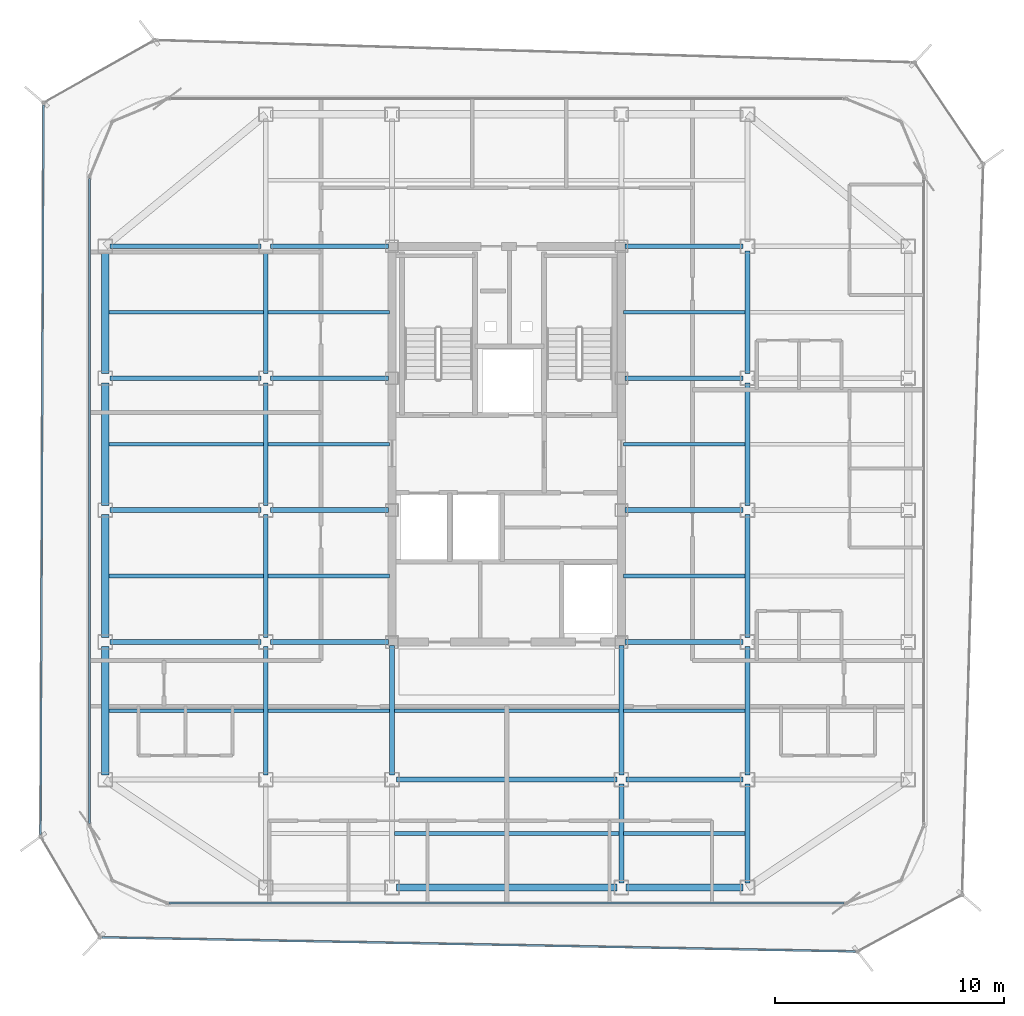
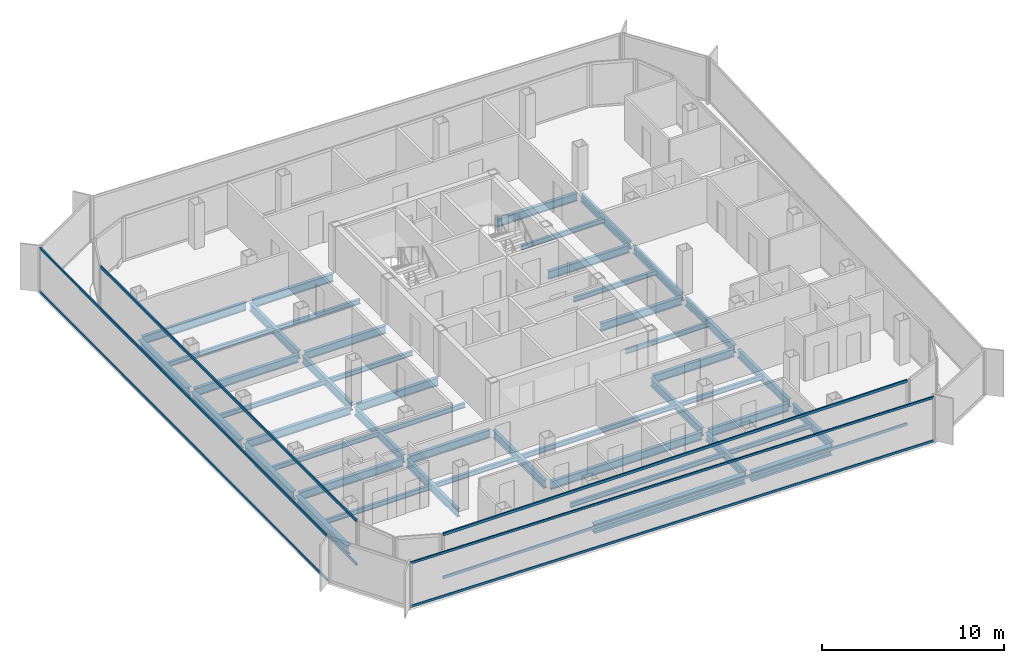
# One storey, part 3 of 15: 47 beams, 8 members, 4 elements without a shape of their own.
"""IFC4 building model written with IfcOpenShell, lengths in metres."""

from ifc_helpers import new_model, si_unit, direction, frame, origin, origin_2d, place, context, subcontext, project, spatial, hollow_rectangle, i_section, extrude, source, transform, mapped, material, layer, layer_set, material_profile, profile_set, type_object, element, aggregate, save


model = new_model("IFC4")

# Units and contexts
model_context = context("Model", 3, precision=1e-05, world=origin(), true_north=direction((0.0, 1.0)))
body_context = subcontext(model_context, "Body", "Model", "MODEL_VIEW")
ifc_project = project(units=[si_unit("LENGTHUNIT", "METRE"), si_unit("AREAUNIT", "SQUARE_METRE"), si_unit("VOLUMEUNIT", "CUBIC_METRE"), si_unit("PLANEANGLEUNIT", "RADIAN"), si_unit("MASSUNIT", "GRAM", prefix="KILO")], contexts=[model_context])

# Site, building, storey
site_placement = place(None, origin())
site = spatial("IfcSite", under=ifc_project, at=site_placement, CompositionType="ELEMENT")
building_placement = place(site_placement, origin())
building = spatial("IfcBuilding", under=site, at=building_placement, Name="Kolveth Station Tower", CompositionType="ELEMENT")
storey_placement = place(building_placement, frame((0.0, 0.0, 242.5)))
storey = spatial("IfcBuildingStorey", under=building, at=storey_placement, Name="L69", CompositionType="ELEMENT", Elevation=242.5)

# Beams
ifc_material_1 = material(Name="Steel S355", Category="steel")
ifc_material_profile_1 = material_profile(ifc_material_1, i_section(OverallWidth=0.323974609375, OverallDepth=0.611083984375, WebThickness=0.0126953125, FlangeThickness=0.01904296875, at=origin_2d()), Name="W610x155")
ifc_profile_set_1 = profile_set([ifc_material_profile_1], Name="Steel S355")
beam_type_1 = type_object("IfcBeamType", Name="Beam_SP2", PredefinedType="SPANDREL", material=ifc_profile_set_1)
shared_shape_1 = source(origin(), body_context, "Body", "SweptSolid", [
    extrude(i_section(OverallWidth=0.323974609375, OverallDepth=0.611083984375, WebThickness=0.0126953125, FlangeThickness=0.01904296875, at=origin_2d()), origin(), (0.0, 0.0, 1.0), 5.10009765625),
])
beam_1_placement = place(storey_placement, frame((28.699951171875, 0.800048828125, -0.525390625), z_axis=(1.0, 0.0, 0.0), x_axis=(0.0, 1.0, 0.0)))
element("IfcBeam", 1, at=beam_1_placement, inside=storey, type_object=beam_type_1, Name="L69 Perimeter Spandrel BM-L69-PS-3", PredefinedType="SPANDREL", context=body_context, shape_type="MappedRepresentation", body=[
    mapped(shared_shape_1, transform((0.0, 0.0, 0.0), x_axis=(1.0, 0.0, 0.0), y_axis=(0.0, 1.0, 0.0), z_axis=(0.0, 0.0, 1.0), scale=1.0)),
])
shared_shape_2 = source(origin(), body_context, "Body", "SweptSolid", [
    extrude(i_section(OverallWidth=0.323974609375, OverallDepth=0.611083984375, WebThickness=0.0126953125, FlangeThickness=0.01904296875, at=origin_2d()), origin(), (0.0, 0.0, 1.0), 9.60009765625),
])
beam_2_placement = place(storey_placement, frame((18.699951171875, 0.800048828125, -0.525390625), z_axis=(1.0, 0.0, 0.0), x_axis=(0.0, 1.0, 0.0)))
element("IfcBeam", 2, at=beam_2_placement, inside=storey, type_object=beam_type_1, Name="L69 Perimeter Spandrel BM-L69-PS-2", PredefinedType="SPANDREL", context=body_context, shape_type="MappedRepresentation", body=[
    mapped(shared_shape_2, transform((0.0, 0.0, 0.0), x_axis=(1.0, 0.0, 0.0), y_axis=(0.0, 1.0, 0.0), z_axis=(0.0, 0.0, 1.0), scale=1.0)),
])
shared_shape_3 = source(origin(), body_context, "Body", "SweptSolid", [
    extrude(i_section(OverallWidth=0.323974609375, OverallDepth=0.611083984375, WebThickness=0.0126953125, FlangeThickness=0.01904296875, at=origin_2d()), origin(), (0.0, 0.0, 1.0), 5.60009765625),
])
beam_3_placement = place(storey_placement, frame((6.0, 5.699951171875, -0.525390625), z_axis=(0.0, 1.0, 0.0), x_axis=(-1.0, 0.0, 0.0)))
element("IfcBeam", 3, at=beam_3_placement, inside=storey, type_object=beam_type_1, Name="L69 Perimeter Spandrel BM-L69-PW-1", PredefinedType="SPANDREL", context=body_context, shape_type="MappedRepresentation", body=[
    mapped(shared_shape_3, transform((0.0, 0.0, 0.0), x_axis=(1.0, 0.0, 0.0), y_axis=(0.0, 1.0, 0.0), z_axis=(0.0, 0.0, 1.0), scale=1.0)),
])
shared_shape_4 = source(origin(), body_context, "Body", "SweptSolid", [
    extrude(i_section(OverallWidth=0.323974609375, OverallDepth=0.611083984375, WebThickness=0.0126953125, FlangeThickness=0.01904296875, at=origin_2d()), origin(), (0.0, 0.0, 1.0), 5.35009765625),
])
for number, where, z_axis, x_axis, name in (
    (4, (6.0, 11.699951171875, -0.525390625), (0.0, 1.0, 0.0), (-1.0, 0.0, 0.0), "L69 Perimeter Spandrel BM-L69-PW-2"),
    (5, (6.0, 17.449951171875, -0.525390625), (0.0, 1.0, 0.0), (-1.0, 0.0, 0.0), "L69 Perimeter Spandrel BM-L69-PW-3"),
    (6, (6.0, 23.199951171875, -0.525390625), (0.0, 1.0, 0.0), (-1.0, 0.0, 0.0), "L69 Perimeter Spandrel BM-L69-PW-4"),
):
    element("IfcBeam", number, at=place(storey_placement, frame(where, z_axis=z_axis, x_axis=x_axis)), inside=storey, type_object=beam_type_1, Name=name, PredefinedType="SPANDREL", context=body_context, shape_type="MappedRepresentation", body=[
        mapped(shared_shape_4, transform((0.0, 0.0, 0.0), x_axis=(1.0, 0.0, 0.0), y_axis=(0.0, 1.0, 0.0), z_axis=(0.0, 0.0, 1.0), scale=1.0)),
    ])
ifc_material_profile_2 = material_profile(ifc_material_1, i_section(OverallWidth=0.2099609375, OverallDepth=0.537109375, WebThickness=0.010986328125, FlangeThickness=0.017333984375, at=origin_2d()), Name="W530x101")
ifc_profile_set_2 = profile_set([ifc_material_profile_2], Name="Steel S355")
beam_type_2 = type_object("IfcBeamType", Name="Beam_B6", PredefinedType="BEAM", material=ifc_profile_set_2)
shared_shape_5 = source(origin(), body_context, "Body", "SweptSolid", [
    extrude(i_section(OverallWidth=0.2099609375, OverallDepth=0.537109375, WebThickness=0.010986328125, FlangeThickness=0.017333984375, at=origin_2d()), origin(), (0.0, 0.0, 1.0), 6.60009765625),
])
for number, where, z_axis, x_axis, name in (
    (7, (6.199951171875, 11.5, -0.488525390625), (1.0, 0.0, 0.0), (0.0, 1.0, 0.0), "L69 Primary Girder BM-L69-GY115-1"),
    (8, (6.199951171875, 17.25, -0.488525390625), (1.0, 0.0, 0.0), (0.0, 1.0, 0.0), "L69 Primary Girder BM-L69-GY172-1"),
    (9, (6.199951171875, 23.0, -0.488525390625), (1.0, 0.0, 0.0), (0.0, 1.0, 0.0), "L69 Primary Girder BM-L69-GY230-1"),
    (10, (6.199951171875, 28.75, -0.488525390625), (1.0, 0.0, 0.0), (0.0, 1.0, 0.0), "L69 Primary Girder BM-L69-GY287-1"),
):
    element("IfcBeam", number, at=place(storey_placement, frame(where, z_axis=z_axis, x_axis=x_axis)), inside=storey, type_object=beam_type_2, Name=name, PredefinedType="BEAM", context=body_context, shape_type="MappedRepresentation", body=[
        mapped(shared_shape_5, transform((0.0, 0.0, 0.0), x_axis=(1.0, 0.0, 0.0), y_axis=(0.0, 1.0, 0.0), z_axis=(0.0, 0.0, 1.0), scale=1.0)),
    ])
shared_shape_6 = source(origin(), body_context, "Body", "SweptSolid", [
    extrude(i_section(OverallWidth=0.2099609375, OverallDepth=0.537109375, WebThickness=0.010986328125, FlangeThickness=0.017333984375, at=origin_2d()), origin(), (0.0, 0.0, 1.0), 5.10009765625),
])
beam_4_placement = place(storey_placement, frame((28.699951171875, 5.5, -0.488525390625), z_axis=(1.0, 0.0, 0.0), x_axis=(0.0, 1.0, 0.0)))
element("IfcBeam", 11, at=beam_4_placement, inside=storey, type_object=beam_type_2, Name="L69 Primary Girder BM-L69-GY55-4", PredefinedType="BEAM", context=body_context, shape_type="MappedRepresentation", body=[
    mapped(shared_shape_6, transform((0.0, 0.0, 0.0), x_axis=(1.0, 0.0, 0.0), y_axis=(0.0, 1.0, 0.0), z_axis=(0.0, 0.0, 1.0), scale=1.0)),
])
shared_shape_7 = source(origin(), body_context, "Body", "SweptSolid", [
    extrude(i_section(OverallWidth=0.2099609375, OverallDepth=0.537109375, WebThickness=0.010986328125, FlangeThickness=0.017333984375, at=origin_2d()), origin(), (0.0, 0.0, 1.0), 9.60009765625),
])
beam_5_placement = place(storey_placement, frame((18.699951171875, 5.5, -0.488525390625), z_axis=(1.0, 0.0, 0.0), x_axis=(0.0, 1.0, 0.0)))
element("IfcBeam", 12, at=beam_5_placement, inside=storey, type_object=beam_type_2, Name="L69 Primary Girder BM-L69-GY55-3", PredefinedType="BEAM", context=body_context, shape_type="MappedRepresentation", body=[
    mapped(shared_shape_7, transform((0.0, 0.0, 0.0), x_axis=(1.0, 0.0, 0.0), y_axis=(0.0, 1.0, 0.0), z_axis=(0.0, 0.0, 1.0), scale=1.0)),
])
shared_shape_8 = source(origin(), body_context, "Body", "SweptSolid", [
    extrude(i_section(OverallWidth=0.2099609375, OverallDepth=0.537109375, WebThickness=0.010986328125, FlangeThickness=0.017333984375, at=origin_2d()), origin(), (0.0, 0.0, 1.0), 5.14013671875),
])
for number, where, z_axis, x_axis, name in (
    (13, (13.199951171875, 11.5, -0.488525390625), (1.0, 0.0, 0.0), (0.0, 1.0, 0.0), "L69 Primary Girder BM-L69-GY115-2"),
    (14, (28.659912109375, 11.5, -0.488525390625), (1.0, 0.0, 0.0), (0.0, 1.0, 0.0), "L69 Primary Girder BM-L69-GY115-4"),
    (15, (13.199951171875, 17.25, -0.488525390625), (1.0, 0.0, 0.0), (0.0, 1.0, 0.0), "L69 Primary Girder BM-L69-GY172-2"),
    (16, (28.659912109375, 17.25, -0.488525390625), (1.0, 0.0, 0.0), (0.0, 1.0, 0.0), "L69 Primary Girder BM-L69-GY172-4"),
    (17, (13.199951171875, 23.0, -0.488525390625), (1.0, 0.0, 0.0), (0.0, 1.0, 0.0), "L69 Primary Girder BM-L69-GY230-2"),
    (18, (28.659912109375, 23.0, -0.488525390625), (1.0, 0.0, 0.0), (0.0, 1.0, 0.0), "L69 Primary Girder BM-L69-GY230-4"),
    (19, (13.199951171875, 28.75, -0.488525390625), (1.0, 0.0, 0.0), (0.0, 1.0, 0.0), "L69 Primary Girder BM-L69-GY287-2"),
    (20, (28.659912109375, 28.75, -0.488525390625), (1.0, 0.0, 0.0), (0.0, 1.0, 0.0), "L69 Primary Girder BM-L69-GY287-4"),
):
    element("IfcBeam", number, at=place(storey_placement, frame(where, z_axis=z_axis, x_axis=x_axis)), inside=storey, type_object=beam_type_2, Name=name, PredefinedType="BEAM", context=body_context, shape_type="MappedRepresentation", body=[
        mapped(shared_shape_8, transform((0.0, 0.0, 0.0), x_axis=(1.0, 0.0, 0.0), y_axis=(0.0, 1.0, 0.0), z_axis=(0.0, 0.0, 1.0), scale=1.0)),
    ])
shared_shape_9 = source(origin(), body_context, "Body", "SweptSolid", [
    extrude(i_section(OverallWidth=0.2099609375, OverallDepth=0.537109375, WebThickness=0.010986328125, FlangeThickness=0.017333984375, at=origin_2d()), origin(), (0.0, 0.0, 1.0), 4.300048828125),
])
for number, where, z_axis, x_axis, name in (
    (21, (28.5, 1.0, -0.488525390625), (0.0, 1.0, 0.0), (-1.0, 0.0, 0.0), "L69 Primary Girder BM-L69-GX285-1"),
    (22, (34.0, 1.0, -0.488525390625), (0.0, 1.0, 0.0), (-1.0, 0.0, 0.0), "L69 Primary Girder BM-L69-GX340-1"),
):
    element("IfcBeam", number, at=place(storey_placement, frame(where, z_axis=z_axis, x_axis=x_axis)), inside=storey, type_object=beam_type_2, Name=name, PredefinedType="BEAM", context=body_context, shape_type="MappedRepresentation", body=[
        mapped(shared_shape_9, transform((0.0, 0.0, 0.0), x_axis=(1.0, 0.0, 0.0), y_axis=(0.0, 1.0, 0.0), z_axis=(0.0, 0.0, 1.0), scale=1.0)),
    ])
shared_shape_10 = source(origin(), body_context, "Body", "SweptSolid", [
    extrude(i_section(OverallWidth=0.2099609375, OverallDepth=0.537109375, WebThickness=0.010986328125, FlangeThickness=0.017333984375, at=origin_2d()), origin(), (0.0, 0.0, 1.0), 5.60009765625),
])
for number, where, z_axis, x_axis, name in (
    (23, (13.0, 5.699951171875, -0.488525390625), (0.0, 1.0, 0.0), (-1.0, 0.0, 0.0), "L69 Primary Girder BM-L69-GX130-2"),
    (24, (34.0, 5.699951171875, -0.488525390625), (0.0, 1.0, 0.0), (-1.0, 0.0, 0.0), "L69 Primary Girder BM-L69-GX340-2"),
):
    element("IfcBeam", number, at=place(storey_placement, frame(where, z_axis=z_axis, x_axis=x_axis)), inside=storey, type_object=beam_type_2, Name=name, PredefinedType="BEAM", context=body_context, shape_type="MappedRepresentation", body=[
        mapped(shared_shape_10, transform((0.0, 0.0, 0.0), x_axis=(1.0, 0.0, 0.0), y_axis=(0.0, 1.0, 0.0), z_axis=(0.0, 0.0, 1.0), scale=1.0)),
    ])
shared_shape_11 = source(origin(), body_context, "Body", "SweptSolid", [
    extrude(i_section(OverallWidth=0.2099609375, OverallDepth=0.537109375, WebThickness=0.010986328125, FlangeThickness=0.017333984375, at=origin_2d()), origin(), (0.0, 0.0, 1.0), 5.35009765625),
])
for number, where, z_axis, x_axis, name in (
    (25, (13.0, 11.699951171875, -0.488525390625), (0.0, 1.0, 0.0), (-1.0, 0.0, 0.0), "L69 Primary Girder BM-L69-GX130-3"),
    (26, (13.0, 17.449951171875, -0.488525390625), (0.0, 1.0, 0.0), (-1.0, 0.0, 0.0), "L69 Primary Girder BM-L69-GX130-4"),
    (27, (13.0, 23.199951171875, -0.488525390625), (0.0, 1.0, 0.0), (-1.0, 0.0, 0.0), "L69 Primary Girder BM-L69-GX130-5"),
    (28, (34.0, 11.699951171875, -0.488525390625), (0.0, 1.0, 0.0), (-1.0, 0.0, 0.0), "L69 Primary Girder BM-L69-GX340-3"),
    (29, (34.0, 17.449951171875, -0.488525390625), (0.0, 1.0, 0.0), (-1.0, 0.0, 0.0), "L69 Primary Girder BM-L69-GX340-4"),
    (30, (34.0, 23.199951171875, -0.488525390625), (0.0, 1.0, 0.0), (-1.0, 0.0, 0.0), "L69 Primary Girder BM-L69-GX340-5"),
):
    element("IfcBeam", number, at=place(storey_placement, frame(where, z_axis=z_axis, x_axis=x_axis)), inside=storey, type_object=beam_type_2, Name=name, PredefinedType="BEAM", context=body_context, shape_type="MappedRepresentation", body=[
        mapped(shared_shape_11, transform((0.0, 0.0, 0.0), x_axis=(1.0, 0.0, 0.0), y_axis=(0.0, 1.0, 0.0), z_axis=(0.0, 0.0, 1.0), scale=1.0)),
    ])
shared_shape_12 = source(origin(), body_context, "Body", "SweptSolid", [
    extrude(i_section(OverallWidth=0.2099609375, OverallDepth=0.537109375, WebThickness=0.010986328125, FlangeThickness=0.017333984375, at=origin_2d()), origin(), (0.0, 0.0, 1.0), 5.64013671875),
])
for number, where, z_axis, x_axis, name in (
    (31, (18.5, 5.699951171875, -0.488525390625), (0.0, 1.0, 0.0), (-1.0, 0.0, 0.0), "L69 Primary Girder BM-L69-GX185-2"),
    (32, (28.5, 5.699951171875, -0.488525390625), (0.0, 1.0, 0.0), (-1.0, 0.0, 0.0), "L69 Primary Girder BM-L69-GX285-2"),
):
    element("IfcBeam", number, at=place(storey_placement, frame(where, z_axis=z_axis, x_axis=x_axis)), inside=storey, type_object=beam_type_2, Name=name, PredefinedType="BEAM", context=body_context, shape_type="MappedRepresentation", body=[
        mapped(shared_shape_12, transform((0.0, 0.0, 0.0), x_axis=(1.0, 0.0, 0.0), y_axis=(0.0, 1.0, 0.0), z_axis=(0.0, 0.0, 1.0), scale=1.0)),
    ])
ifc_material_profile_3 = material_profile(ifc_material_1, i_section(OverallWidth=0.1650390625, OverallDepth=0.31005859375, WebThickness=0.005859375, FlangeThickness=0.009765625, at=origin_2d()), Name="W310x39")
ifc_profile_set_3 = profile_set([ifc_material_profile_3], Name="Steel S355")
beam_type_3 = type_object("IfcBeamType", Name="Beam_J3", PredefinedType="JOIST", material=ifc_profile_set_3)
shared_shape_13 = source(origin(), body_context, "Body", "SweptSolid", [
    extrude(i_section(OverallWidth=0.1650390625, OverallDepth=0.31005859375, WebThickness=0.005859375, FlangeThickness=0.009765625, at=origin_2d()), origin(), (0.0, 0.0, 1.0), 6.737060546875),
])
for number, where, z_axis, x_axis, name in (
    (33, (6.159912109375, 8.5, -0.375), (1.0, 0.0, 0.0), (0.0, 1.0, 0.0), "L69 Secondary Joist JST-L69-1-2"),
    (34, (6.159912109375, 14.375, -0.375), (1.0, 0.0, 0.0), (0.0, 1.0, 0.0), "L69 Secondary Joist JST-L69-1-3"),
    (35, (6.159912109375, 20.125, -0.375), (1.0, 0.0, 0.0), (0.0, 1.0, 0.0), "L69 Secondary Joist JST-L69-1-4"),
    (36, (6.159912109375, 25.875, -0.375), (1.0, 0.0, 0.0), (0.0, 1.0, 0.0), "L69 Secondary Joist JST-L69-1-5"),
):
    element("IfcBeam", number, at=place(storey_placement, frame(where, z_axis=z_axis, x_axis=x_axis)), inside=storey, type_object=beam_type_3, Name=name, PredefinedType="JOIST", context=body_context, shape_type="MappedRepresentation", body=[
        mapped(shared_shape_13, transform((0.0, 0.0, 0.0), x_axis=(1.0, 0.0, 0.0), y_axis=(0.0, 1.0, 0.0), z_axis=(0.0, 0.0, 1.0), scale=1.0)),
    ])
shared_shape_14 = source(origin(), body_context, "Body", "SweptSolid", [
    extrude(i_section(OverallWidth=0.1650390625, OverallDepth=0.31005859375, WebThickness=0.005859375, FlangeThickness=0.009765625, at=origin_2d()), origin(), (0.0, 0.0, 1.0), 5.2939453125),
])
for number, where, z_axis, x_axis, name in (
    (37, (13.10302734375, 8.5, -0.375), (1.0, 0.0, 0.0), (0.0, 1.0, 0.0), "L69 Secondary Joist JST-L69-2-2"),
    (38, (13.10302734375, 14.375, -0.375), (1.0, 0.0, 0.0), (0.0, 1.0, 0.0), "L69 Secondary Joist JST-L69-2-3"),
    (39, (13.10302734375, 20.125, -0.375), (1.0, 0.0, 0.0), (0.0, 1.0, 0.0), "L69 Secondary Joist JST-L69-2-4"),
    (40, (13.10302734375, 25.875, -0.375), (1.0, 0.0, 0.0), (0.0, 1.0, 0.0), "L69 Secondary Joist JST-L69-2-5"),
    (41, (28.60302734375, 3.14990234375, -0.375), (1.0, 0.0, 0.0), (0.0, 1.0, 0.0), "L69 Secondary Joist JST-L69-4-1"),
    (42, (28.60302734375, 8.5, -0.375), (1.0, 0.0, 0.0), (0.0, 1.0, 0.0), "L69 Secondary Joist JST-L69-4-2"),
    (43, (28.60302734375, 14.375, -0.375), (1.0, 0.0, 0.0), (0.0, 1.0, 0.0), "L69 Secondary Joist JST-L69-4-3"),
    (44, (28.60302734375, 20.125, -0.375), (1.0, 0.0, 0.0), (0.0, 1.0, 0.0), "L69 Secondary Joist JST-L69-4-4"),
    (45, (28.60302734375, 25.875, -0.375), (1.0, 0.0, 0.0), (0.0, 1.0, 0.0), "L69 Secondary Joist JST-L69-4-5"),
):
    element("IfcBeam", number, at=place(storey_placement, frame(where, z_axis=z_axis, x_axis=x_axis)), inside=storey, type_object=beam_type_3, Name=name, PredefinedType="JOIST", context=body_context, shape_type="MappedRepresentation", body=[
        mapped(shared_shape_14, transform((0.0, 0.0, 0.0), x_axis=(1.0, 0.0, 0.0), y_axis=(0.0, 1.0, 0.0), z_axis=(0.0, 0.0, 1.0), scale=1.0)),
    ])
shared_shape_15 = source(origin(), body_context, "Body", "SweptSolid", [
    extrude(i_section(OverallWidth=0.1650390625, OverallDepth=0.31005859375, WebThickness=0.005859375, FlangeThickness=0.009765625, at=origin_2d()), origin(), (0.0, 0.0, 1.0), 9.7939453125),
])
for number, where, z_axis, x_axis, name in (
    (46, (18.60302734375, 3.14990234375, -0.375), (1.0, 0.0, 0.0), (0.0, 1.0, 0.0), "L69 Secondary Joist JST-L69-3-1"),
    (47, (18.60302734375, 8.5, -0.375), (1.0, 0.0, 0.0), (0.0, 1.0, 0.0), "L69 Secondary Joist JST-L69-3-2"),
):
    element("IfcBeam", number, at=place(storey_placement, frame(where, z_axis=z_axis, x_axis=x_axis)), inside=storey, type_object=beam_type_3, Name=name, PredefinedType="JOIST", context=body_context, shape_type="MappedRepresentation", body=[
        mapped(shared_shape_15, transform((0.0, 0.0, 0.0), x_axis=(1.0, 0.0, 0.0), y_axis=(0.0, 1.0, 0.0), z_axis=(0.0, 0.0, 1.0), scale=1.0)),
    ])

# Curtain wall, members
ifc_material_2 = material(Name="Aluminium 6063-T6 and triple low-E dark glass", Category="aluminium")
ifc_layer_1 = layer(ifc_material_2, 0.199951171875)
ifc_layer_set_1 = layer_set([ifc_layer_1], Name="Aluminium 6063-T6 and triple low-E dark glass")
curtain_wall_type_1 = type_object("IfcCurtainWallType", Name="CurtainWall_CW-Z3", PredefinedType="NOTDEFINED", material=ifc_layer_set_1)
curtain_wall_1_placement = place(storey_placement, origin())
curtain_wall_1 = element("IfcCurtainWall", 48, at=curtain_wall_1_placement, inside=storey, type_object=curtain_wall_type_1, Name="L69 Inner Thermal Curtain Wall 9", PredefinedType="NOTDEFINED")
ifc_material_3 = material(Name="Black anodized aluminium 6063-T6", Category="aluminium")
ifc_material_profile_4 = material_profile(ifc_material_3, hollow_rectangle(XDim=0.0849609375, YDim=0.179931640625, WallThickness=0.0048828125, at=origin_2d()), Name="ALU-85x180x5")
ifc_profile_set_4 = profile_set([ifc_material_profile_4], Name="Black anodized aluminium 6063-T6")
member_type_1 = type_object("IfcMemberType", Name="Transom_TR3", PredefinedType="USERDEFINED", material=ifc_profile_set_4)
shared_shape_16 = source(origin(), body_context, "Body", "SweptSolid", [
    extrude(hollow_rectangle(XDim=0.0849609375, YDim=0.179931640625, WallThickness=0.0048828125, at=origin_2d()), origin(), (0.0, 0.0, 1.0), 28.130126953125),
])
member_1_placement = place(storey_placement, frame((5.320068359375, 31.715087890625, 0.04248046875), z_axis=(0.0, -1.0, 0.0), x_axis=(1.0, 0.0, 0.0)))
member_1 = element("IfcMember", 49, at=member_1_placement, type_object=member_type_1, Name="CW-Z3 transom 1.1", ObjectType="TRANSOM", PredefinedType="USERDEFINED", context=body_context, shape_type="MappedRepresentation", body=[
    mapped(shared_shape_16, transform((0.0, 0.0, 0.0), x_axis=(1.0, 0.0, 0.0), y_axis=(0.0, 1.0, 0.0), z_axis=(0.0, 0.0, 1.0), scale=1.0)),
])
member_2_placement = place(storey_placement, frame((5.320068359375, 31.715087890625, 2.9375), z_axis=(0.0, -1.0, 0.0), x_axis=(1.0, 0.0, 0.0)))
member_2 = element("IfcMember", 50, at=member_2_placement, type_object=member_type_1, Name="CW-Z3 transom 1.2", ObjectType="TRANSOM", PredefinedType="USERDEFINED", context=body_context, shape_type="MappedRepresentation", body=[
    mapped(shared_shape_16, transform((0.0, 0.0, 0.0), x_axis=(1.0, 0.0, 0.0), y_axis=(0.0, 1.0, 0.0), z_axis=(0.0, 0.0, 1.0), scale=1.0)),
])
aggregate(curtain_wall_1, [member_1, member_2])

curtain_wall_2_placement = place(storey_placement, origin())
curtain_wall_2 = element("IfcCurtainWall", 51, at=curtain_wall_2_placement, inside=storey, type_object=curtain_wall_type_1, Name="L69 Inner Thermal Curtain Wall 12", PredefinedType="NOTDEFINED")
shared_shape_17 = source(origin(), body_context, "Body", "SweptSolid", [
    extrude(hollow_rectangle(XDim=0.0849609375, YDim=0.179931640625, WallThickness=0.0048828125, at=origin_2d()), origin(), (0.0, 0.0, 1.0), 29.43017578125),
])
member_3_placement = place(storey_placement, frame((8.784912109375, 0.1201171875, 0.04248046875), z_axis=(1.0, 0.0, 0.0), x_axis=(0.0, 1.0, 0.0)))
member_3 = element("IfcMember", 52, at=member_3_placement, type_object=member_type_1, Name="CW-Z3 transom 1.1", ObjectType="TRANSOM", PredefinedType="USERDEFINED", context=body_context, shape_type="MappedRepresentation", body=[
    mapped(shared_shape_17, transform((0.0, 0.0, 0.0), x_axis=(1.0, 0.0, 0.0), y_axis=(0.0, 1.0, 0.0), z_axis=(0.0, 0.0, 1.0), scale=1.0)),
])
member_4_placement = place(storey_placement, frame((8.784912109375, 0.1201171875, 2.9375), z_axis=(1.0, 0.0, 0.0), x_axis=(0.0, 1.0, 0.0)))
member_4 = element("IfcMember", 53, at=member_4_placement, type_object=member_type_1, Name="CW-Z3 transom 1.2", ObjectType="TRANSOM", PredefinedType="USERDEFINED", context=body_context, shape_type="MappedRepresentation", body=[
    mapped(shared_shape_17, transform((0.0, 0.0, 0.0), x_axis=(1.0, 0.0, 0.0), y_axis=(0.0, 1.0, 0.0), z_axis=(0.0, 0.0, 1.0), scale=1.0)),
])
aggregate(curtain_wall_2, [member_3, member_4])

ifc_material_4 = material(Name="Black anodized aluminium 6063-T6 and dark solar glass", Category="aluminium")
ifc_layer_2 = layer(ifc_material_4, 0.159912109375)
ifc_layer_set_2 = layer_set([ifc_layer_2], Name="Black anodized aluminium 6063-T6 and dark solar glass")
curtain_wall_type_2 = type_object("IfcCurtainWallType", Name="OUTER SKIN CW-OS", PredefinedType="NOTDEFINED", material=ifc_layer_set_2)
curtain_wall_3_placement = place(storey_placement, origin())
curtain_wall_3 = element("IfcCurtainWall", 54, at=curtain_wall_3_placement, inside=storey, type_object=curtain_wall_type_2, Name="L69 Outer Ventilated Skin Curtain Wall 6", PredefinedType="NOTDEFINED")
ifc_material_profile_5 = material_profile(ifc_material_3, hollow_rectangle(XDim=0.080078125, YDim=0.14990234375, WallThickness=0.0048828125, at=origin_2d()), Name="ALU-80x150x5")
ifc_profile_set_5 = profile_set([ifc_material_profile_5], Name="Black anodized aluminium 6063-T6")
member_type_2 = type_object("IfcMemberType", Name="Transom_TR-OS", PredefinedType="USERDEFINED", material=ifc_profile_set_5)
shared_shape_18 = source(origin(), body_context, "Body", "SweptSolid", [
    extrude(hollow_rectangle(XDim=0.080078125, YDim=0.14990234375, WallThickness=0.0048828125, at=origin_2d()), origin(), (0.0, 0.0, 1.0), 31.80712890625),
])
member_5_placement = place(storey_placement, frame((3.31298828125, 34.91650390625, 0.0400390625), z_axis=(-0.004060420469, -0.999991756459, 0.0), x_axis=(0.999991756459, -0.004060420469, 0.0)))
member_5 = element("IfcMember", 55, at=member_5_placement, type_object=member_type_2, Name="CW-OS transom 1.1", ObjectType="TRANSOM", PredefinedType="USERDEFINED", context=body_context, shape_type="MappedRepresentation", body=[
    mapped(shared_shape_18, transform((0.0, 0.0, 0.0), x_axis=(1.0, 0.0, 0.0), y_axis=(0.0, 1.0, 0.0), z_axis=(0.0, 0.0, 1.0), scale=1.0)),
])
member_6_placement = place(storey_placement, frame((3.31298828125, 34.91650390625, 2.949951171875), z_axis=(-0.004060420469, -0.999991756459, 0.0), x_axis=(0.999991756459, -0.004060420469, 0.0)))
member_6 = element("IfcMember", 56, at=member_6_placement, type_object=member_type_2, Name="CW-OS transom 1.2", ObjectType="TRANSOM", PredefinedType="USERDEFINED", context=body_context, shape_type="MappedRepresentation", body=[
    mapped(shared_shape_18, transform((0.0, 0.0, 0.0), x_axis=(1.0, 0.0, 0.0), y_axis=(0.0, 1.0, 0.0), z_axis=(0.0, 0.0, 1.0), scale=1.0)),
])
aggregate(curtain_wall_3, [member_5, member_6])

curtain_wall_4_placement = place(storey_placement, origin())
curtain_wall_4 = element("IfcCurtainWall", 57, at=curtain_wall_4_placement, inside=storey, type_object=curtain_wall_type_2, Name="L69 Outer Ventilated Skin Curtain Wall 8", PredefinedType="NOTDEFINED")
shared_shape_19 = source(origin(), body_context, "Body", "SweptSolid", [
    extrude(hollow_rectangle(XDim=0.080078125, YDim=0.14990234375, WallThickness=0.0048828125, at=origin_2d()), origin(), (0.0, 0.0, 1.0), 32.84765625),
])
member_7_placement = place(storey_placement, frame((5.860107421875, -1.374267578125, 0.0400390625), z_axis=(0.999823463135, -0.018789426961, 0.0), x_axis=(0.018789426961, 0.999823463135, 0.0)))
member_7 = element("IfcMember", 58, at=member_7_placement, type_object=member_type_2, Name="CW-OS transom 1.1", ObjectType="TRANSOM", PredefinedType="USERDEFINED", context=body_context, shape_type="MappedRepresentation", body=[
    mapped(shared_shape_19, transform((0.0, 0.0, 0.0), x_axis=(1.0, 0.0, 0.0), y_axis=(0.0, 1.0, 0.0), z_axis=(0.0, 0.0, 1.0), scale=1.0)),
])
member_8_placement = place(storey_placement, frame((5.860107421875, -1.374267578125, 2.949951171875), z_axis=(0.999823463135, -0.018789426961, 0.0), x_axis=(0.018789426961, 0.999823463135, 0.0)))
member_8 = element("IfcMember", 59, at=member_8_placement, type_object=member_type_2, Name="CW-OS transom 1.2", ObjectType="TRANSOM", PredefinedType="USERDEFINED", context=body_context, shape_type="MappedRepresentation", body=[
    mapped(shared_shape_19, transform((0.0, 0.0, 0.0), x_axis=(1.0, 0.0, 0.0), y_axis=(0.0, 1.0, 0.0), z_axis=(0.0, 0.0, 1.0), scale=1.0)),
])
aggregate(curtain_wall_4, [member_7, member_8])

save(model, "model.ifc")
